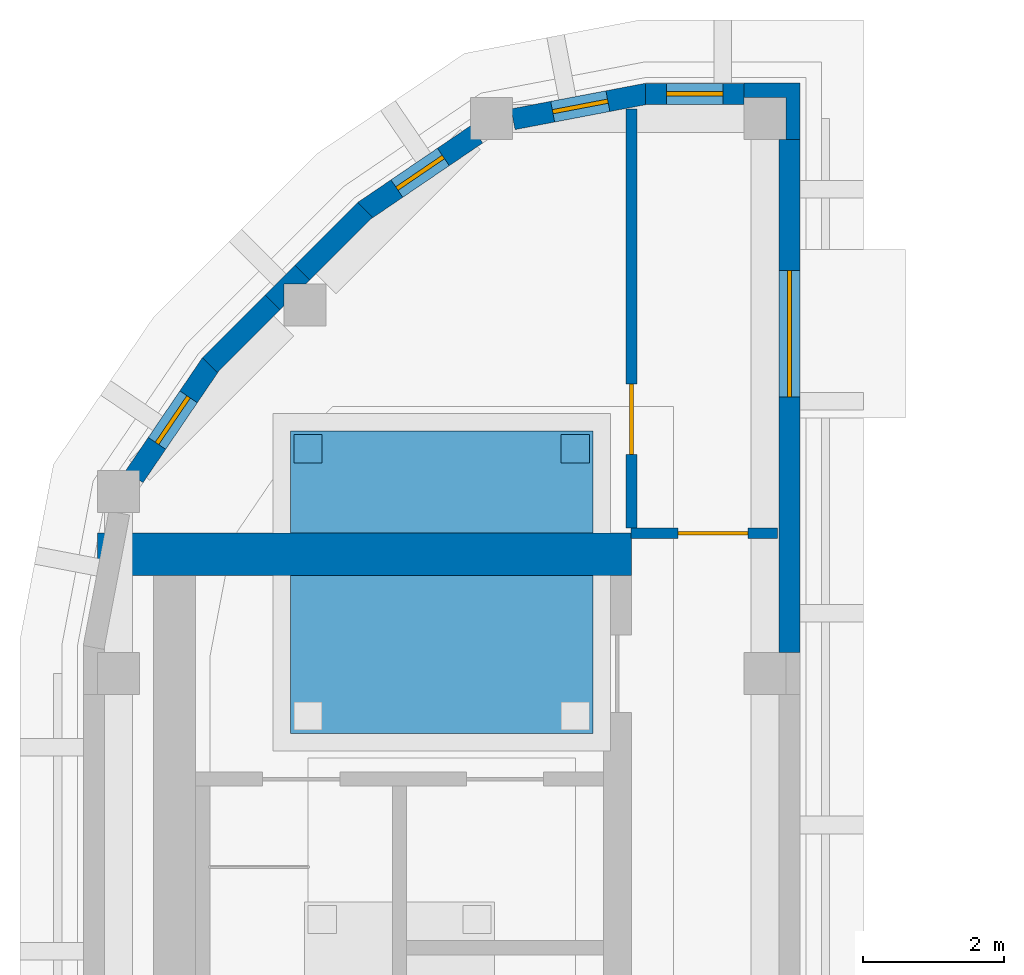
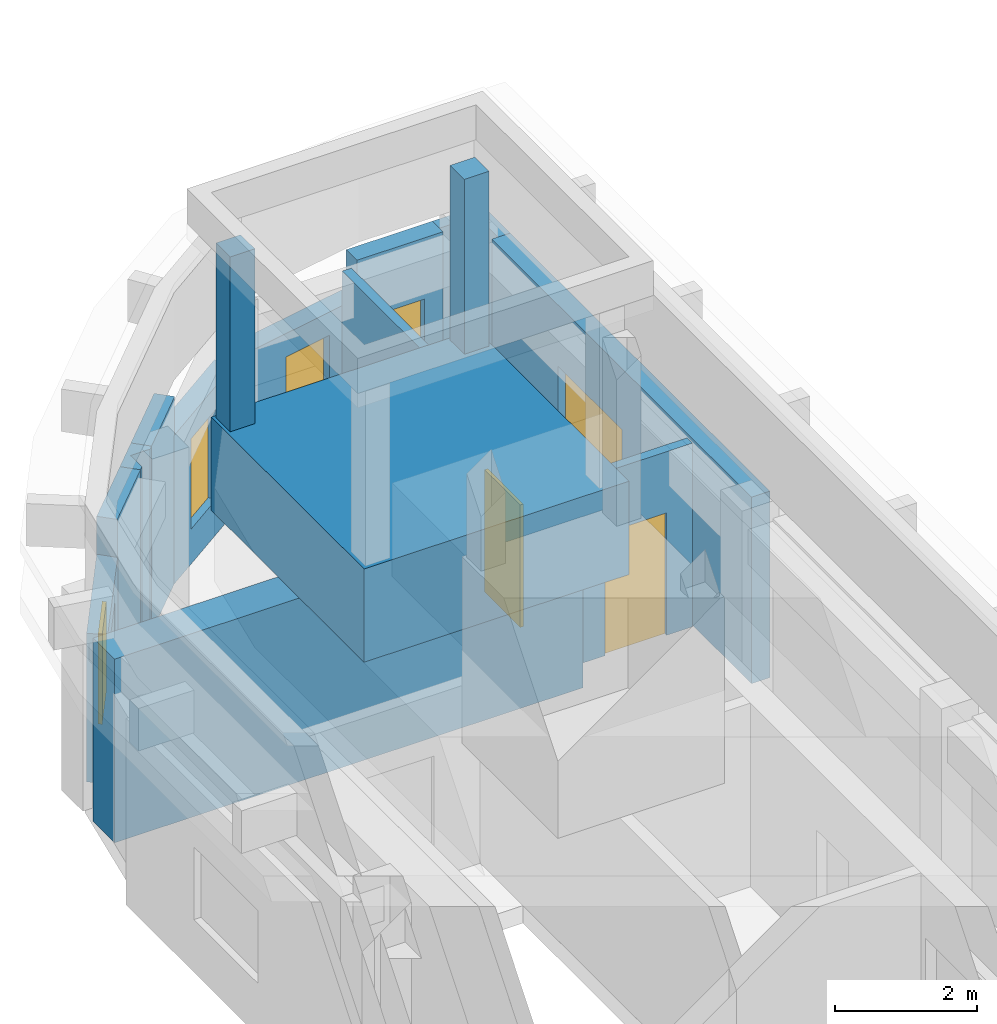
# One storey, part 3 of 4: 15 walls, 5 windows, 2 doors, 7 openings.
"""IFC4 building model written with IfcOpenShell, lengths in metres."""

from ifc_helpers import new_model, si_unit, direction, frame, frame_2d, origin, place, context, subcontext, project, spatial, polyline, rectangle, outline, extrude, material, layer, layer_set, type_object, element, fill, save


model = new_model("IFC4")

# Units and contexts
model_context = context("Model", 3, precision=1e-05, world=origin(), true_north=direction((0.0, 1.0)))
body_context = subcontext(model_context, "Body", "Model", "MODEL_VIEW")
ifc_project = project(units=[si_unit("LENGTHUNIT", "METRE"), si_unit("AREAUNIT", "SQUARE_METRE"), si_unit("VOLUMEUNIT", "CUBIC_METRE"), si_unit("PLANEANGLEUNIT", "RADIAN"), si_unit("MASSUNIT", "GRAM", prefix="KILO")], contexts=[model_context])

# Site, building, storey
site_placement = place(None, origin())
site = spatial("IfcSite", under=ifc_project, at=site_placement, CompositionType="ELEMENT")
building_placement = place(site_placement, origin())
building = spatial("IfcBuilding", under=site, at=building_placement, Name="Kiln Ring Residences", CompositionType="ELEMENT")
storey_placement = place(building_placement, frame((0.0, 0.0, 320.89990234375)))
storey = spatial("IfcBuildingStorey", under=building, at=storey_placement, Name="L83 Crown", CompositionType="ELEMENT", Elevation=320.89990234375)

# Walls
ifc_material_1 = material(Name="Brick masonry, dark clay brick", Category="masonry")
ifc_layer_1 = layer(ifc_material_1, 0.39990234375)
ifc_layer_set_1 = layer_set([ifc_layer_1], Name="CHHATRI POST 400")
wall_type_1 = type_object("IfcWallType", Name="CHHATRI POST 400", PredefinedType="SOLIDWALL", material=ifc_layer_set_1)
placement_1 = place(storey_placement, frame((0.0, 0.0, 5.10009765625)))
element("IfcWall", 1, at=placement_1, inside=storey, type_object=wall_type_1, Name="CHHATRI POST L83 Crown", PredefinedType="SOLIDWALL", context=body_context, shape_type="SweptSolid", body=[
    extrude(outline(polyline([(-18.0, 14.199951171875), (-18.0, 14.60009765625), (-18.39990234375, 14.60009765625), (-18.39990234375, 14.199951171875), (-18.0, 14.199951171875)])), origin(), (0.0, 0.0, 1.0), 3.0),
])
element("IfcWall", 2, at=placement_1, inside=storey, type_object=wall_type_1, Name="CHHATRI POST L83 Crown", PredefinedType="SOLIDWALL", context=body_context, shape_type="SweptSolid", body=[
    extrude(outline(polyline([(-21.800048828125, 14.199951171875), (-21.800048828125, 14.60009765625), (-22.199951171875, 14.60009765625), (-22.199951171875, 14.199951171875), (-21.800048828125, 14.199951171875)])), origin(), (0.0, 0.0, 1.0), 3.0),
])
ifc_material_2 = material(Name="Concrete C60/75", Category="concrete")
ifc_layer_2 = layer(ifc_material_2, 0.60009765625)
ifc_layer_set_2 = layer_set([ifc_layer_2], Name="CORE-WALL-RC600")
wall_type_2 = type_object("IfcWallType", Name="CORE-WALL-RC600", PredefinedType="SHEAR", material=ifc_layer_set_2)
wall_3_placement = place(storey_placement, frame((-17.39990234375, 12.89990234375, 0.0), z_axis=(0.0, 0.0, 1.0), x_axis=(-1.0, 0.0, 0.0)))
element("IfcWall", 3, at=wall_3_placement, inside=storey, type_object=wall_type_2, Name="Core wall west L83 Crown 4", PredefinedType="SHEAR", context=body_context, shape_type="SweptSolid", body=[
    extrude(rectangle(XDim=7.60009765625, YDim=0.60009765625, at=frame_2d((3.800048828125, 0.0))), origin(), (0.0, 0.0, 1.0), 3.150146484375),
])

# Wall, opening, window
ifc_material_3 = material(Name="Brick masonry, dark clay brick", Category="masonry")
ifc_layer_3 = layer(ifc_material_3, 0.300048828125)
ifc_layer_set_3 = layer_set([ifc_layer_3], Name="EW-300 BRICK WALL")
wall_type_3 = type_object("IfcWallType", Name="EW-300 BRICK WALL", PredefinedType="SOLIDWALL", material=ifc_layer_set_3)
wall_4_placement = place(storey_placement, frame((-15.14990234375, 11.5, 0.0), z_axis=(0.0, 0.0, 1.0), x_axis=(0.0, 1.0, 0.0)))
wall_4 = element("IfcWall", 4, at=wall_4_placement, inside=storey, type_object=wall_type_3, Name="Facade wall L83 Crown 7", PredefinedType="SOLIDWALL", context=body_context, shape_type="SweptSolid", body=[
    extrude(rectangle(XDim=7.300048828125, YDim=0.300048828125, at=frame_2d((3.64990234375, 0.0))), origin(), (0.0, 0.0, 1.0), 3.2001953125),
])
opening_1_placement = place(wall_4_placement, frame((3.637451171875, 0.0, 0.89990234375)))
opening_1 = element("IfcOpeningElement", 5, at=opening_1_placement, cuts=wall_4, Name="Opening W2", PredefinedType="OPENING", context=body_context, shape_type="SweptSolid", body=[
    extrude(rectangle(XDim=1.800048828125, YDim=1.25, at=frame_2d((0.89990234375, 0.625))), frame((0.0, 0.159912109375, 0.0), z_axis=(0.0, -1.0, 0.0), x_axis=(1.0, 0.0, 0.0)), (0.0, 0.0, 1.0), 0.320068359375),
])
ifc_material_4 = material(Name="Aluminium frame with double glazing", Category="aluminium")
window_type_1 = type_object("IfcWindowType", Name="WINDOW 1800 x 1250", PartitioningType="SINGLE_PANEL", PredefinedType="WINDOW", material=ifc_material_4)
window_1_placement = place(opening_1_placement, origin())
window_1 = element("IfcWindow", 6, at=window_1_placement, inside=storey, type_object=window_type_1, Name="Window L83 Crown 4", OverallHeight=1.25, OverallWidth=1.800048828125, PartitioningType="SINGLE_PANEL", PredefinedType="WINDOW", context=body_context, shape_type="SweptSolid", body=[
    extrude(rectangle(XDim=1.800048828125, YDim=1.25, at=frame_2d((0.89990234375, 0.625))), frame((0.0, 0.030029296875, 0.0), z_axis=(0.0, -1.0, 0.0), x_axis=(1.0, 0.0, 0.0)), (0.0, 0.0, 1.0), 0.06005859375),
])
fill(opening_1, window_1)

wall_5_placement = place(storey_placement, frame((-15.800048828125, 19.449951171875, 0.0), z_axis=(0.0, 0.0, 1.0), x_axis=(-1.0, 0.0, 0.0)))
wall_5 = element("IfcWall", 7, at=wall_5_placement, inside=storey, type_object=wall_type_3, Name="Facade wall L83 Crown 8", PredefinedType="SOLIDWALL", context=body_context, shape_type="SweptSolid", body=[
    extrude(rectangle(XDim=1.39990234375, YDim=0.300048828125, at=frame_2d((0.699951171875, 0.0))), origin(), (0.0, 0.0, 1.0), 3.2001953125),
])
opening_2_placement = place(wall_5_placement, frame((0.300048828125, 0.0, 0.60009765625)))
opening_2 = element("IfcOpeningElement", 8, at=opening_2_placement, cuts=wall_5, Name="Opening W5", PredefinedType="OPENING", context=body_context, shape_type="SweptSolid", body=[
    extrude(rectangle(XDim=0.800048828125, YDim=1.550048828125, at=frame_2d((0.39990234375, 0.77490234375))), frame((0.0, 0.159912109375, 0.0), z_axis=(0.0, -1.0, 0.0), x_axis=(1.0, 0.0, 0.0)), (0.0, 0.0, 1.0), 0.320068359375),
])
ifc_material_5 = material(Name="Aluminium frame with double glazing", Category="aluminium")
window_type_2 = type_object("IfcWindowType", Name="WINDOW 800 x 1550", PartitioningType="SINGLE_PANEL", PredefinedType="WINDOW", material=ifc_material_5)
window_2_placement = place(opening_2_placement, origin())
window_2 = element("IfcWindow", 9, at=window_2_placement, inside=storey, type_object=window_type_2, Name="Window L83 Crown 5", OverallHeight=1.550048828125, OverallWidth=0.800048828125, PartitioningType="SINGLE_PANEL", PredefinedType="WINDOW", context=body_context, shape_type="SweptSolid", body=[
    extrude(rectangle(XDim=0.800048828125, YDim=1.550048828125, at=frame_2d((0.39990234375, 0.77490234375))), frame((0.0, 0.030029296875, 0.0), z_axis=(0.0, -1.0, 0.0), x_axis=(1.0, 0.0, 0.0)), (0.0, 0.0, 1.0), 0.06005859375),
])
fill(opening_2, window_2)

wall_6_placement = place(storey_placement, frame((-17.171875, 19.45263671875, 0.0), z_axis=(0.0, 0.0, 1.0), x_axis=(-0.982286967073, -0.187382801553, 0.0)))
wall_6 = element("IfcWall", 10, at=wall_6_placement, inside=storey, type_object=wall_type_3, Name="Facade wall L83 Crown 9", PredefinedType="SOLIDWALL", context=body_context, shape_type="SweptSolid", body=[
    extrude(rectangle(XDim=1.94775390625, YDim=0.300048828125, at=frame_2d((0.973876953125, 0.0))), origin(), (0.0, 0.0, 1.0), 2.550048828125),
])
opening_3_placement = place(wall_6_placement, frame((0.573974609375, 0.0, 0.60009765625)))
opening_3 = element("IfcOpeningElement", 11, at=opening_3_placement, cuts=wall_6, Name="Opening W5", PredefinedType="OPENING", context=body_context, shape_type="SweptSolid", body=[
    extrude(rectangle(XDim=0.800048828125, YDim=1.550048828125, at=frame_2d((0.39990234375, 0.77490234375))), frame((0.0, 0.159912109375, 0.0), z_axis=(0.0, -1.0, 0.0), x_axis=(1.0, 0.0, 0.0)), (0.0, 0.0, 1.0), 0.320068359375),
])
window_3_placement = place(opening_3_placement, origin())
window_3 = element("IfcWindow", 12, at=window_3_placement, inside=storey, type_object=window_type_2, Name="Window L83 Crown 6", OverallHeight=1.550048828125, OverallWidth=0.800048828125, PartitioningType="SINGLE_PANEL", PredefinedType="WINDOW", context=body_context, shape_type="SweptSolid", body=[
    extrude(rectangle(XDim=0.800048828125, YDim=1.550048828125, at=frame_2d((0.39990234375, 0.77490234375))), frame((0.0, 0.030029296875, 0.0), z_axis=(0.0, -1.0, 0.0), x_axis=(1.0, 0.0, 0.0)), (0.0, 0.0, 1.0), 0.06005859375),
])
fill(opening_3, window_3)

wall_7_placement = place(storey_placement, frame((-19.601806640625, 18.873779296875, 0.0), z_axis=(0.0, 0.0, 1.0), x_axis=(-0.827022075481, -0.562169446579, 0.0)))
wall_7 = element("IfcWall", 13, at=wall_7_placement, inside=storey, type_object=wall_type_3, Name="Facade wall L83 Crown 10", PredefinedType="SOLIDWALL", context=body_context, shape_type="SweptSolid", body=[
    extrude(rectangle(XDim=1.94775390625, YDim=0.300048828125, at=frame_2d((0.973876953125, 0.0))), origin(), (0.0, 0.0, 1.0), 2.550048828125),
])
opening_4_placement = place(wall_7_placement, frame((0.573974609375, 0.0, 0.60009765625)))
opening_4 = element("IfcOpeningElement", 14, at=opening_4_placement, cuts=wall_7, Name="Opening W5", PredefinedType="OPENING", context=body_context, shape_type="SweptSolid", body=[
    extrude(rectangle(XDim=0.800048828125, YDim=1.550048828125, at=frame_2d((0.39990234375, 0.77490234375))), frame((0.0, 0.159912109375, 0.0), z_axis=(0.0, -1.0, 0.0), x_axis=(1.0, 0.0, 0.0)), (0.0, 0.0, 1.0), 0.320068359375),
])
window_4_placement = place(opening_4_placement, origin())
window_4 = element("IfcWindow", 15, at=window_4_placement, inside=storey, type_object=window_type_2, Name="Window L83 Crown 7", OverallHeight=1.550048828125, OverallWidth=0.800048828125, PartitioningType="SINGLE_PANEL", PredefinedType="WINDOW", context=body_context, shape_type="SweptSolid", body=[
    extrude(rectangle(XDim=0.800048828125, YDim=1.550048828125, at=frame_2d((0.39990234375, 0.77490234375))), frame((0.0, 0.030029296875, 0.0), z_axis=(0.0, -1.0, 0.0), x_axis=(1.0, 0.0, 0.0)), (0.0, 0.0, 1.0), 0.06005859375),
])
fill(opening_4, window_4)

# Walls
for number, where, z_axis, x_axis, name in (
    (16, (-21.19091796875, 17.796875, 0.0), (0.0, 0.0, 1.0), (-0.707106781187, -0.707106781187, 0.0), "Facade wall L83 Crown 11"),
    (17, (-22.506103515625, 16.481689453125, 0.0), (0.0, 0.0, 1.0), (-0.707203678312, -0.707009870781, 0.0), "Facade wall L83 Crown 12"),
):
    element("IfcWall", number, at=place(storey_placement, frame(where, z_axis=z_axis, x_axis=x_axis)), inside=storey, type_object=wall_type_3, Name=name, PredefinedType="SOLIDWALL", context=body_context, shape_type="SweptSolid", body=[
        extrude(rectangle(XDim=1.259765625, YDim=0.300048828125, at=frame_2d((0.6298828125, 0.0))), origin(), (0.0, 0.0, 1.0), 3.2001953125),
    ])

# Wall, opening, window
wall_8_placement = place(storey_placement, frame((-23.37890625, 15.61279296875, 0.0), z_axis=(0.0, 0.0, 1.0), x_axis=(-0.562025435703, -0.827119948752, 0.0)))
wall_8 = element("IfcWall", 18, at=wall_8_placement, inside=storey, type_object=wall_type_3, Name="Facade wall L83 Crown 13", PredefinedType="SOLIDWALL", context=body_context, shape_type="SweptSolid", body=[
    extrude(rectangle(XDim=1.94775390625, YDim=0.300048828125, at=frame_2d((0.973876953125, 0.0))), origin(), (0.0, 0.0, 1.0), 2.550048828125),
])
opening_5_placement = place(wall_8_placement, frame((0.573974609375, 0.0, 0.60009765625)))
opening_5 = element("IfcOpeningElement", 19, at=opening_5_placement, cuts=wall_8, Name="Opening W5", PredefinedType="OPENING", context=body_context, shape_type="SweptSolid", body=[
    extrude(rectangle(XDim=0.800048828125, YDim=1.550048828125, at=frame_2d((0.39990234375, 0.77490234375))), frame((0.0, 0.159912109375, 0.0), z_axis=(0.0, -1.0, 0.0), x_axis=(1.0, 0.0, 0.0)), (0.0, 0.0, 1.0), 0.320068359375),
])
window_5_placement = place(opening_5_placement, origin())
window_5 = element("IfcWindow", 20, at=window_5_placement, inside=storey, type_object=window_type_2, Name="Window L83 Crown 8", OverallHeight=1.550048828125, OverallWidth=0.800048828125, PartitioningType="SINGLE_PANEL", PredefinedType="WINDOW", context=body_context, shape_type="SweptSolid", body=[
    extrude(rectangle(XDim=0.800048828125, YDim=1.550048828125, at=frame_2d((0.39990234375, 0.77490234375))), frame((0.0, 0.030029296875, 0.0), z_axis=(0.0, -1.0, 0.0), x_axis=(1.0, 0.0, 0.0)), (0.0, 0.0, 1.0), 0.06005859375),
])
fill(opening_5, window_5)

# Walls
placement_2 = place(storey_placement, origin())
element("IfcWall", 21, at=placement_2, inside=storey, type_object=wall_type_3, Name="Corner wall L83 Crown 6", PredefinedType="SOLIDWALL", context=body_context, shape_type="SweptSolid", body=[
    extrude(outline(polyline([(-21.9755859375, 16.800048828125), (-22.18798828125, 17.01220703125), (-22.612060546875, 16.587890625), (-22.39990234375, 16.375732421875), (-22.346435546875, 16.42919921875), (-22.346435546875, 16.746337890625), (-22.029296875, 16.746337890625), (-21.9755859375, 16.800048828125)])), origin(), (0.0, 0.0, 1.0), 3.2001953125),
])
element("IfcWall", 22, at=placement_2, inside=storey, type_object=wall_type_3, Name="Corner wall L83 Crown 7", PredefinedType="SOLIDWALL", context=body_context, shape_type="SweptSolid", body=[
    extrude(outline(polyline([(-15.0, 18.800048828125), (-15.0, 19.60009765625), (-15.800048828125, 19.60009765625), (-15.800048828125, 19.39990234375), (-15.199951171875, 19.39990234375), (-15.199951171875, 18.800048828125), (-15.0, 18.800048828125)])), origin(), (0.0, 0.0, 1.0), 3.2001953125),
])
ifc_material_6 = material(Name="Brick masonry, dark clay brick", Category="masonry")
ifc_layer_4 = layer(ifc_material_6, 0.5)
ifc_layer_set_4 = layer_set([ifc_layer_4], Name="KIOSK PLINTH 500")
wall_type_4 = type_object("IfcWallType", Name="KIOSK PLINTH 500", PredefinedType="SOLIDWALL", material=ifc_layer_set_4)
wall_11_placement = place(storey_placement, frame((0.0, 0.0, 3.5)))
element("IfcWall", 23, at=wall_11_placement, inside=storey, type_object=wall_type_4, Name="KIOSK PLINTH L83 Crown", PredefinedType="SOLIDWALL", context=body_context, shape_type="SweptSolid", body=[
    extrude(outline(polyline([(-17.949951171875, 10.35009765625), (-17.949951171875, 14.64990234375), (-22.25, 14.64990234375), (-22.25, 10.35009765625), (-17.949951171875, 10.35009765625)])), origin(), (0.0, 0.0, 1.0), 1.60009765625),
])

# Wall, opening, door
ifc_material_7 = material(Name="Brick masonry partition", Category="masonry")
ifc_layer_5 = layer(ifc_material_7, 0.14990234375)
ifc_layer_set_5 = layer_set([ifc_layer_5], Name="PARTITION-150-ei60")
wall_type_5 = type_object("IfcWallType", Name="PARTITION-150-ei60", PredefinedType="PARTITIONING", material=ifc_layer_set_5)
wall_12_placement = place(storey_placement, frame((-17.405029296875, 13.199951171875, 0.0), z_axis=(0.0, 0.0, 1.0), x_axis=(1.0, 0.0, 0.0)))
wall_12 = element("IfcWall", 24, at=wall_12_placement, inside=storey, type_object=wall_type_5, Name="Partition 001", PredefinedType="PARTITIONING", context=body_context, shape_type="SweptSolid", body=[
    extrude(rectangle(XDim=2.0849609375, YDim=0.14990234375, at=frame_2d((1.04248046875, 0.0))), origin(), (0.0, 0.0, 1.0), 3.150146484375),
])
opening_6_placement = place(wall_12_placement, frame((0.6650390625, 0.0, 0.0)))
opening_6 = element("IfcOpeningElement", 25, at=opening_6_placement, cuts=wall_12, Name="Opening L83-D001", PredefinedType="OPENING", context=body_context, shape_type="SweptSolid", body=[
    extrude(rectangle(XDim=1.0, YDim=2.10009765625, at=frame_2d((0.5, 1.050048828125))), frame((0.0, 0.0849609375, 0.0), z_axis=(0.0, -1.0, 0.0), x_axis=(1.0, 0.0, 0.0)), (0.0, 0.0, 1.0), 0.169921875),
])
ifc_material_8 = material(Name="Steel faced fire door leaf", Category="steel")
door_type = type_object("IfcDoorType", Name="FLAT-DOOR-1000-FR", OperationType="SINGLE_SWING_LEFT", PredefinedType="DOOR", material=ifc_material_8)
door_1_placement = place(opening_6_placement, origin())
door_1 = element("IfcDoor", 26, at=door_1_placement, inside=storey, type_object=door_type, Name="Door L83-D001", OperationType="SINGLE_SWING_RIGHT", OverallHeight=2.10009765625, OverallWidth=1.0, PredefinedType="DOOR", context=body_context, shape_type="SweptSolid", body=[
    extrude(rectangle(XDim=1.0, YDim=2.10009765625, at=frame_2d((0.5, 1.050048828125))), frame((0.0, 0.02490234375, 0.0), z_axis=(0.0, -1.0, 0.0), x_axis=(1.0, 0.0, 0.0)), (0.0, 0.0, 1.0), 0.050048828125),
])
fill(opening_6, door_1)

wall_13_placement = place(storey_placement, frame((-17.39990234375, 13.27490234375, 0.0), z_axis=(0.0, 0.0, 1.0), x_axis=(0.0, 1.0, 0.0)))
wall_13 = element("IfcWall", 27, at=wall_13_placement, inside=storey, type_object=wall_type_5, Name="Partition 003", PredefinedType="PARTITIONING", context=body_context, shape_type="SweptSolid", body=[
    extrude(rectangle(XDim=5.96142578125, YDim=0.14990234375, at=frame_2d((2.980712890625, 0.0))), origin(), (0.0, 0.0, 1.0), 3.150146484375),
])
opening_7_placement = place(wall_13_placement, frame((1.044921875, 0.0, 0.0)))
opening_7 = element("IfcOpeningElement", 28, at=opening_7_placement, cuts=wall_13, Name="Opening L83-D002", PredefinedType="OPENING", context=body_context, shape_type="SweptSolid", body=[
    extrude(rectangle(XDim=1.0, YDim=2.10009765625, at=frame_2d((0.5, 1.050048828125))), frame((0.0, 0.0849609375, 0.0), z_axis=(0.0, -1.0, 0.0), x_axis=(1.0, 0.0, 0.0)), (0.0, 0.0, 1.0), 0.169921875),
])
door_2_placement = place(opening_7_placement, origin())
door_2 = element("IfcDoor", 29, at=door_2_placement, inside=storey, type_object=door_type, Name="Door L83-D002", OperationType="SINGLE_SWING_RIGHT", OverallHeight=2.10009765625, OverallWidth=1.0, PredefinedType="DOOR", context=body_context, shape_type="SweptSolid", body=[
    extrude(rectangle(XDim=1.0, YDim=2.10009765625, at=frame_2d((0.5, 1.050048828125))), frame((0.0, 0.02490234375, 0.0), z_axis=(0.0, -1.0, 0.0), x_axis=(1.0, 0.0, 0.0)), (0.0, 0.0, 1.0), 0.050048828125),
])
fill(opening_7, door_2)

save(model, "model.ifc")
